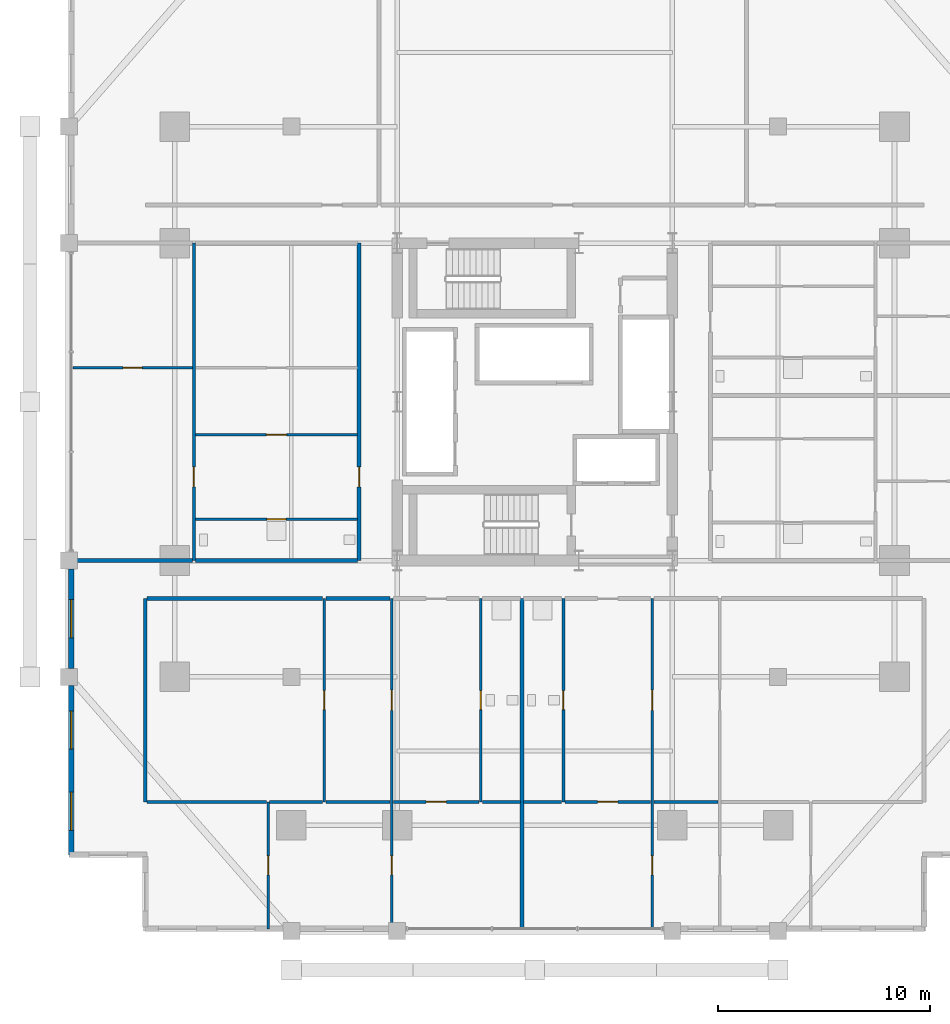
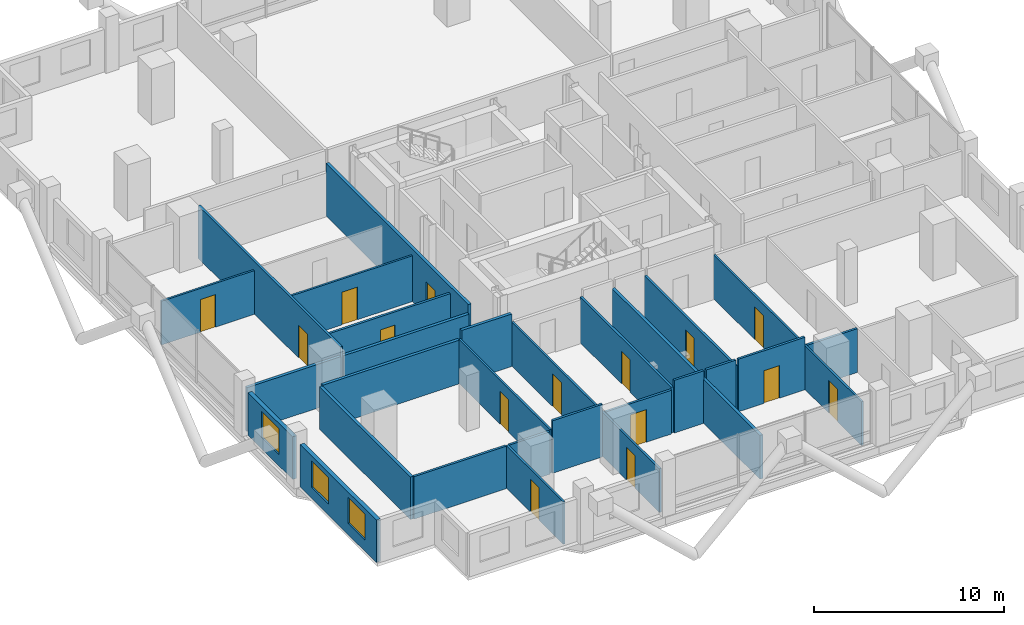
# One storey, part 17 of 23: 27 walls, 15 doors, 3 windows, 18 openings.
"""IFC4 building model written with IfcOpenShell, lengths in metres."""

from ifc_helpers import new_model, si_unit, direction, frame, frame_2d, origin, place, context, subcontext, project, spatial, rectangle, extrude, material, layer, layer_set, type_object, element, fill, save


model = new_model("IFC4")

# Units and contexts
model_context = context("Model", 3, precision=1e-05, world=origin(), true_north=direction((0.0, 1.0)))
body_context = subcontext(model_context, "Body", "Model", "MODEL_VIEW")
ifc_project = project(units=[si_unit("LENGTHUNIT", "METRE"), si_unit("AREAUNIT", "SQUARE_METRE"), si_unit("VOLUMEUNIT", "CUBIC_METRE"), si_unit("PLANEANGLEUNIT", "RADIAN"), si_unit("MASSUNIT", "GRAM", prefix="KILO")], contexts=[model_context])

# Site, building, storey
site_placement = place(None, origin())
site = spatial("IfcSite", under=ifc_project, at=site_placement, CompositionType="ELEMENT")
building_placement = place(site_placement, origin())
building = spatial("IfcBuilding", under=site, at=building_placement, Name="Barlavira Tower and Art Museum", CompositionType="ELEMENT")
storey_placement = place(building_placement, frame((0.0, 0.0, 68.39990234375)))
storey = spatial("IfcBuildingStorey", under=building, at=storey_placement, Name="L16", CompositionType="ELEMENT", Elevation=68.39990234375)

# Wall, opening, door
ifc_material_1 = material(Name="Gypsum acoustic stud partition", Category="gypsum")
ifc_layer_1 = layer(ifc_material_1, 0.1201171875, Name="Gypsum acoustic stud partition")
ifc_layer_set_1 = layer_set([ifc_layer_1], Name="Gypsum acoustic stud partition")
wall_type_1 = type_object("IfcWallType", Name="Apartment Internal Acoustic Partition 120", PredefinedType="PARTITIONING", material=ifc_layer_set_1)
wall_1_placement = place(storey_placement, frame((-12.60009765625, -24.89990234375, 0.0), z_axis=(0.0, 0.0, 1.0), x_axis=(0.0, 1.0, 0.0)))
wall_1 = element("IfcWall", 1, at=wall_1_placement, inside=storey, type_object=wall_type_1, Name="L16 Partition Wall 3", PredefinedType="PARTITIONING", context=body_context, shape_type="SweptSolid", body=[
    extrude(rectangle(XDim=6.0, YDim=0.1201171875, at=frame_2d((3.0, 0.0))), origin(), (0.0, 0.0, 1.0), 2.736083984375),
])
opening_1_placement = place(wall_1_placement, frame((2.550048828125, 0.0, 0.0)))
opening_1 = element("IfcOpeningElement", 2, at=opening_1_placement, cuts=wall_1, Name="Opening D-01", PredefinedType="OPENING", context=body_context, shape_type="SweptSolid", body=[
    extrude(rectangle(XDim=0.89990234375, YDim=2.10009765625, at=frame_2d((0.449951171875, 1.050048828125))), frame((0.0, 0.070068359375, 0.0), z_axis=(0.0, -1.0, 0.0), x_axis=(1.0, 0.0, 0.0)), (0.0, 0.0, 1.0), 0.14013671875),
])
ifc_material_2 = material(Name="Engineered coastal hardwood", Category="wood")
door_type_1 = type_object("IfcDoorType", Name="Internal Bedroom Timber Flush Door 900x2100", OperationType="NOTDEFINED", PredefinedType="DOOR", material=ifc_material_2)
door_1_placement = place(opening_1_placement, origin())
door_1 = element("IfcDoor", 3, at=door_1_placement, inside=storey, type_object=door_type_1, Name="Apartment S1 Bedroom 2 Door", OperationType="SINGLE_SWING_LEFT", OverallHeight=2.10009765625, OverallWidth=0.89990234375, PredefinedType="DOOR", context=body_context, shape_type="SweptSolid", body=[
    extrude(rectangle(XDim=0.89990234375, YDim=2.10009765625, at=frame_2d((0.449951171875, 1.050048828125))), frame((0.0, 0.02490234375, 0.0), z_axis=(0.0, -1.0, 0.0), x_axis=(1.0, 0.0, 0.0)), (0.0, 0.0, 1.0), 0.050048828125),
])
fill(opening_1, door_1)

wall_2_placement = place(storey_placement, frame((-9.949951171875, -18.89990234375, 0.0), z_axis=(0.0, 0.0, 1.0), x_axis=(0.0, 1.0, 0.0)))
wall_2 = element("IfcWall", 4, at=wall_2_placement, inside=storey, type_object=wall_type_1, Name="L16 Partition Wall 4", PredefinedType="PARTITIONING", context=body_context, shape_type="SweptSolid", body=[
    extrude(rectangle(XDim=9.599853515625, YDim=0.1201171875, at=frame_2d((4.7998046875, 0.0))), origin(), (0.0, 0.0, 1.0), 2.816162109375),
])
opening_2_placement = place(wall_2_placement, frame((4.35009765625, 0.0, 0.0)))
opening_2 = element("IfcOpeningElement", 5, at=opening_2_placement, cuts=wall_2, Name="Opening D-01", PredefinedType="OPENING", context=body_context, shape_type="SweptSolid", body=[
    extrude(rectangle(XDim=0.89990234375, YDim=2.10009765625, at=frame_2d((0.449951171875, 1.050048828125))), frame((0.0, 0.070068359375, 0.0), z_axis=(0.0, -1.0, 0.0), x_axis=(1.0, 0.0, 0.0)), (0.0, 0.0, 1.0), 0.14013671875),
])
door_2_placement = place(opening_2_placement, origin())
door_2 = element("IfcDoor", 6, at=door_2_placement, inside=storey, type_object=door_type_1, Name="Apartment S1 Walk-In Dressing Room Door", OperationType="SINGLE_SWING_RIGHT", OverallHeight=2.10009765625, OverallWidth=0.89990234375, PredefinedType="DOOR", context=body_context, shape_type="SweptSolid", body=[
    extrude(rectangle(XDim=0.89990234375, YDim=2.10009765625, at=frame_2d((0.449951171875, 1.050048828125))), frame((0.0, 0.02490234375, 0.0), z_axis=(0.0, -1.0, 0.0), x_axis=(1.0, 0.0, 0.0)), (0.0, 0.0, 1.0), 0.050048828125),
])
fill(opening_2, door_2)

# Wall, openings, doors
wall_3_placement = place(storey_placement, frame((-6.75, -24.89990234375, 0.0), z_axis=(0.0, 0.0, 1.0), x_axis=(0.0, 1.0, 0.0)))
wall_3 = element("IfcWall", 7, at=wall_3_placement, inside=storey, type_object=wall_type_1, Name="L16 Partition Wall 7", PredefinedType="PARTITIONING", context=body_context, shape_type="SweptSolid", body=[
    extrude(rectangle(XDim=15.599853515625, YDim=0.1201171875, at=frame_2d((7.7998046875, 0.0))), origin(), (0.0, 0.0, 1.0), 2.816162109375),
])
opening_3_placement = place(wall_3_placement, frame((10.324951171875, 0.0, 0.0)))
opening_3 = element("IfcOpeningElement", 8, at=opening_3_placement, cuts=wall_3, Name="Opening D-02", PredefinedType="OPENING", context=body_context, shape_type="SweptSolid", body=[
    extrude(rectangle(XDim=0.949951171875, YDim=2.10009765625, at=frame_2d((0.47509765625, 1.050048828125))), frame((0.0, 0.070068359375, 0.0), z_axis=(0.0, -1.0, 0.0), x_axis=(1.0, 0.0, 0.0)), (0.0, 0.0, 1.0), 0.14013671875),
])
opening_4_placement = place(wall_3_placement, frame((2.550048828125, 0.0, 0.0)))
opening_4 = element("IfcOpeningElement", 9, at=opening_4_placement, cuts=wall_3, Name="Opening D-01", PredefinedType="OPENING", context=body_context, shape_type="SweptSolid", body=[
    extrude(rectangle(XDim=0.89990234375, YDim=2.10009765625, at=frame_2d((0.449951171875, 1.050048828125))), frame((0.0, 0.070068359375, 0.0), z_axis=(0.0, -1.0, 0.0), x_axis=(1.0, 0.0, 0.0)), (0.0, 0.0, 1.0), 0.14013671875),
])
door_3_placement = place(opening_4_placement, origin())
door_3 = element("IfcDoor", 10, at=door_3_placement, inside=storey, type_object=door_type_1, Name="Apartment S1 Bedroom 1 Door", OperationType="SINGLE_SWING_RIGHT", OverallHeight=2.10009765625, OverallWidth=0.89990234375, PredefinedType="DOOR", context=body_context, shape_type="SweptSolid", body=[
    extrude(rectangle(XDim=0.89990234375, YDim=2.10009765625, at=frame_2d((0.449951171875, 1.050048828125))), frame((0.0, 0.02490234375, 0.0), z_axis=(0.0, -1.0, 0.0), x_axis=(1.0, 0.0, 0.0)), (0.0, 0.0, 1.0), 0.050048828125),
])
fill(opening_4, door_3)
door_type_2 = type_object("IfcDoorType", Name="Living and Salon Glazed-Leaf Door 950x2100", OperationType="NOTDEFINED", PredefinedType="DOOR", material=ifc_material_2)
door_4_placement = place(opening_3_placement, origin())
door_4 = element("IfcDoor", 11, at=door_4_placement, inside=storey, type_object=door_type_2, Name="Apartment S1 Kitchen Door", OperationType="SINGLE_SWING_LEFT", OverallHeight=2.10009765625, OverallWidth=0.949951171875, PredefinedType="DOOR", context=body_context, shape_type="SweptSolid", body=[
    extrude(rectangle(XDim=0.949951171875, YDim=2.10009765625, at=frame_2d((0.47509765625, 1.050048828125))), frame((0.0, 0.02490234375, 0.0), z_axis=(0.0, -1.0, 0.0), x_axis=(1.0, 0.0, 0.0)), (0.0, 0.0, 1.0), 0.050048828125),
])
fill(opening_3, door_4)

wall_4_placement = place(storey_placement, frame((5.550048828125, -24.89990234375, 0.0), z_axis=(0.0, 0.0, 1.0), x_axis=(0.0, 1.0, 0.0)))
wall_4 = element("IfcWall", 12, at=wall_4_placement, inside=storey, type_object=wall_type_1, Name="L16 Partition Wall 12", PredefinedType="PARTITIONING", context=body_context, shape_type="SweptSolid", body=[
    extrude(rectangle(XDim=15.599853515625, YDim=0.1201171875, at=frame_2d((7.7998046875, 0.0))), origin(), (0.0, 0.0, 1.0), 2.816162109375),
])
opening_5_placement = place(wall_4_placement, frame((10.324951171875, 0.0, 0.0)))
opening_5 = element("IfcOpeningElement", 13, at=opening_5_placement, cuts=wall_4, Name="Opening D-02", PredefinedType="OPENING", context=body_context, shape_type="SweptSolid", body=[
    extrude(rectangle(XDim=0.949951171875, YDim=2.10009765625, at=frame_2d((0.47509765625, 1.050048828125))), frame((0.0, 0.070068359375, 0.0), z_axis=(0.0, -1.0, 0.0), x_axis=(1.0, 0.0, 0.0)), (0.0, 0.0, 1.0), 0.14013671875),
])
opening_6_placement = place(wall_4_placement, frame((2.550048828125, 0.0, 0.0)))
opening_6 = element("IfcOpeningElement", 14, at=opening_6_placement, cuts=wall_4, Name="Opening D-01", PredefinedType="OPENING", context=body_context, shape_type="SweptSolid", body=[
    extrude(rectangle(XDim=0.89990234375, YDim=2.10009765625, at=frame_2d((0.449951171875, 1.050048828125))), frame((0.0, 0.070068359375, 0.0), z_axis=(0.0, -1.0, 0.0), x_axis=(1.0, 0.0, 0.0)), (0.0, 0.0, 1.0), 0.14013671875),
])
door_5_placement = place(opening_6_placement, origin())
door_5 = element("IfcDoor", 15, at=door_5_placement, inside=storey, type_object=door_type_1, Name="Apartment S2 Bedroom 1 Door", OperationType="SINGLE_SWING_LEFT", OverallHeight=2.10009765625, OverallWidth=0.89990234375, PredefinedType="DOOR", context=body_context, shape_type="SweptSolid", body=[
    extrude(rectangle(XDim=0.89990234375, YDim=2.10009765625, at=frame_2d((0.449951171875, 1.050048828125))), frame((0.0, 0.02490234375, 0.0), z_axis=(0.0, -1.0, 0.0), x_axis=(1.0, 0.0, 0.0)), (0.0, 0.0, 1.0), 0.050048828125),
])
fill(opening_6, door_5)
door_6_placement = place(opening_5_placement, origin())
door_6 = element("IfcDoor", 16, at=door_6_placement, inside=storey, type_object=door_type_2, Name="Apartment S2 Kitchen Door", OperationType="SINGLE_SWING_RIGHT", OverallHeight=2.10009765625, OverallWidth=0.949951171875, PredefinedType="DOOR", context=body_context, shape_type="SweptSolid", body=[
    extrude(rectangle(XDim=0.949951171875, YDim=2.10009765625, at=frame_2d((0.47509765625, 1.050048828125))), frame((0.0, 0.02490234375, 0.0), z_axis=(0.0, -1.0, 0.0), x_axis=(1.0, 0.0, 0.0)), (0.0, 0.0, 1.0), 0.050048828125),
])
fill(opening_5, door_6)

# Wall, opening, door
wall_5_placement = place(storey_placement, frame((-16.02001953125, -1.550048828125, 0.0), z_axis=(0.0, 0.0, 1.0), x_axis=(1.0, 0.0, 0.0)))
wall_5 = element("IfcWall", 17, at=wall_5_placement, inside=storey, type_object=wall_type_1, Name="L16 Partition Wall 45", PredefinedType="PARTITIONING", context=body_context, shape_type="SweptSolid", body=[
    extrude(rectangle(XDim=7.64013671875, YDim=0.1201171875, at=frame_2d((3.820068359375, 0.0))), origin(), (0.0, 0.0, 1.0), 2.947998046875),
])
opening_7_placement = place(wall_5_placement, frame((3.344970703125, 0.0, 0.0)))
opening_7 = element("IfcOpeningElement", 18, at=opening_7_placement, cuts=wall_5, Name="Opening D-02", PredefinedType="OPENING", context=body_context, shape_type="SweptSolid", body=[
    extrude(rectangle(XDim=0.949951171875, YDim=2.10009765625, at=frame_2d((0.47509765625, 1.050048828125))), frame((0.0, 0.070068359375, 0.0), z_axis=(0.0, -1.0, 0.0), x_axis=(1.0, 0.0, 0.0)), (0.0, 0.0, 1.0), 0.14013671875),
])
door_7_placement = place(opening_7_placement, origin())
door_7 = element("IfcDoor", 19, at=door_7_placement, inside=storey, type_object=door_type_2, Name="Apartment W1 Kitchen Door", OperationType="SINGLE_SWING_LEFT", OverallHeight=2.10009765625, OverallWidth=0.949951171875, PredefinedType="DOOR", context=body_context, shape_type="SweptSolid", body=[
    extrude(rectangle(XDim=0.949951171875, YDim=2.10009765625, at=frame_2d((0.47509765625, 1.050048828125))), frame((0.0, 0.02490234375, 0.0), z_axis=(0.0, -1.0, 0.0), x_axis=(1.0, 0.0, 0.0)), (0.0, 0.0, 1.0), 0.050048828125),
])
fill(opening_7, door_7)

wall_6_placement = place(storey_placement, frame((-21.820068359375, 1.60009765625, 0.0), z_axis=(0.0, 0.0, 1.0), x_axis=(1.0, 0.0, 0.0)))
wall_6 = element("IfcWall", 20, at=wall_6_placement, inside=storey, type_object=wall_type_1, Name="L16 Partition Wall 48", PredefinedType="PARTITIONING", context=body_context, shape_type="SweptSolid", body=[
    extrude(rectangle(XDim=5.64013671875, YDim=0.1201171875, at=frame_2d((2.820068359375, 0.0))), origin(), (0.0, 0.0, 1.0), 2.816162109375),
])
opening_8_placement = place(wall_6_placement, frame((2.3701171875, 0.0, 0.0)))
opening_8 = element("IfcOpeningElement", 21, at=opening_8_placement, cuts=wall_6, Name="Opening D-01", PredefinedType="OPENING", context=body_context, shape_type="SweptSolid", body=[
    extrude(rectangle(XDim=0.89990234375, YDim=2.10009765625, at=frame_2d((0.449951171875, 1.050048828125))), frame((0.0, 0.070068359375, 0.0), z_axis=(0.0, -1.0, 0.0), x_axis=(1.0, 0.0, 0.0)), (0.0, 0.0, 1.0), 0.14013671875),
])
door_8_placement = place(opening_8_placement, origin())
door_8 = element("IfcDoor", 22, at=door_8_placement, inside=storey, type_object=door_type_1, Name="Apartment W1 Bedroom 1 Door", OperationType="SINGLE_SWING_RIGHT", OverallHeight=2.10009765625, OverallWidth=0.89990234375, PredefinedType="DOOR", context=body_context, shape_type="SweptSolid", body=[
    extrude(rectangle(XDim=0.89990234375, YDim=2.10009765625, at=frame_2d((0.449951171875, 1.050048828125))), frame((0.0, 0.02490234375, 0.0), z_axis=(0.0, -1.0, 0.0), x_axis=(1.0, 0.0, 0.0)), (0.0, 0.0, 1.0), 0.050048828125),
])
fill(opening_8, door_8)

# Wall
ifc_layer_2 = layer(ifc_material_1, 0.179931640625, Name="Gypsum acoustic stud partition")
ifc_layer_set_2 = layer_set([ifc_layer_2], Name="Gypsum acoustic stud partition")
wall_type_2 = type_object("IfcWallType", Name="Inter-Tenancy Party Partition Wall 180", PredefinedType="PARTITIONING", material=ifc_layer_set_2)
wall_7_placement = place(storey_placement, frame((-18.39990234375, -18.89990234375, 0.0), z_axis=(0.0, 0.0, 1.0), x_axis=(0.0, 1.0, 0.0)))
element("IfcWall", 23, at=wall_7_placement, inside=storey, type_object=wall_type_2, Name="L16 Partition Wall 1", PredefinedType="PARTITIONING", context=body_context, shape_type="SweptSolid", body=[
    extrude(rectangle(XDim=9.599853515625, YDim=0.179931640625, at=frame_2d((4.7998046875, 0.0))), origin(), (0.0, 0.0, 1.0), 2.736083984375),
])

# Wall, opening, door
wall_8_placement = place(storey_placement, frame((-8.300048828125, -7.5, 0.0), z_axis=(0.0, 0.0, 1.0), x_axis=(0.0, 1.0, 0.0)))
wall_8 = element("IfcWall", 24, at=wall_8_placement, inside=storey, type_object=wall_type_2, Name="L16 Partition Wall 5", PredefinedType="PARTITIONING", context=body_context, shape_type="SweptSolid", body=[
    extrude(rectangle(XDim=15.0, YDim=0.179931640625, at=frame_2d((7.5, 0.0))), origin(), (0.0, 0.0, 1.0), 3.380126953125),
])
opening_9_placement = place(wall_8_placement, frame((3.47509765625, 0.0, 0.0)))
opening_9 = element("IfcOpeningElement", 25, at=opening_9_placement, cuts=wall_8, Name="Opening FD-60", PredefinedType="OPENING", context=body_context, shape_type="SweptSolid", body=[
    extrude(rectangle(XDim=0.949951171875, YDim=2.14990234375, at=frame_2d((0.47509765625, 1.074951171875))), frame((0.0, 0.10009765625, 0.0), z_axis=(0.0, -1.0, 0.0), x_axis=(1.0, 0.0, 0.0)), (0.0, 0.0, 1.0), 0.199951171875),
])
ifc_material_3 = material(Name="Brushed stainless steel", Category="steel")
door_type_3 = type_object("IfcDoorType", Name="Apartment Entrance and Riser Fire Door 950x2150 FD60S", OperationType="NOTDEFINED", PredefinedType="DOOR", material=ifc_material_3)
door_9_placement = place(opening_9_placement, origin())
door_9 = element("IfcDoor", 26, at=door_9_placement, inside=storey, type_object=door_type_3, Name="Apartment Entrance Hall W1 Door", OperationType="SINGLE_SWING_RIGHT", OverallHeight=2.14990234375, OverallWidth=0.949951171875, PredefinedType="DOOR", context=body_context, shape_type="SweptSolid", body=[
    extrude(rectangle(XDim=0.949951171875, YDim=2.14990234375, at=frame_2d((0.47509765625, 1.074951171875))), frame((0.0, 0.02490234375, 0.0), z_axis=(0.0, -1.0, 0.0), x_axis=(1.0, 0.0, 0.0)), (0.0, 0.0, 1.0), 0.050048828125),
])
fill(opening_9, door_9)

# Walls
wall_9_placement = place(storey_placement, frame((-0.60009765625, -24.89990234375, 0.0), z_axis=(0.0, 0.0, 1.0), x_axis=(0.0, 1.0, 0.0)))
element("IfcWall", 27, at=wall_9_placement, inside=storey, type_object=wall_type_2, Name="L16 Partition Wall 9", PredefinedType="PARTITIONING", context=body_context, shape_type="SweptSolid", body=[
    extrude(rectangle(XDim=15.599853515625, YDim=0.179931640625, at=frame_2d((7.7998046875, 0.0))), origin(), (0.0, 0.0, 1.0), 2.816162109375),
])
wall_10_placement = place(storey_placement, frame((-18.320068359375, -9.300048828125, 0.0), z_axis=(0.0, 0.0, 1.0), x_axis=(1.0, 0.0, 0.0)))
element("IfcWall", 28, at=wall_10_placement, inside=storey, type_object=wall_type_2, Name="L16 Partition Wall 29", PredefinedType="PARTITIONING", context=body_context, shape_type="SweptSolid", body=[
    extrude(rectangle(XDim=8.2900390625, YDim=0.179931640625, at=frame_2d((4.14501953125, 0.0))), origin(), (0.0, 0.0, 1.0), 2.816162109375),
])
wall_11_placement = place(storey_placement, frame((-9.8701171875, -9.300048828125, 0.0), z_axis=(0.0, 0.0, 1.0), x_axis=(1.0, 0.0, 0.0)))
element("IfcWall", 29, at=wall_11_placement, inside=storey, type_object=wall_type_2, Name="L16 Partition Wall 30", PredefinedType="PARTITIONING", context=body_context, shape_type="SweptSolid", body=[
    extrude(rectangle(XDim=3.0400390625, YDim=0.179931640625, at=frame_2d((1.52001953125, 0.0))), origin(), (0.0, 0.0, 1.0), 3.380126953125),
])
wall_12_placement = place(storey_placement, frame((-21.89990234375, -7.5, 0.0), z_axis=(0.0, 0.0, 1.0), x_axis=(1.0, 0.0, 0.0)))
element("IfcWall", 30, at=wall_12_placement, inside=storey, type_object=wall_type_2, Name="L16 Partition Wall 37", PredefinedType="PARTITIONING", context=body_context, shape_type="SweptSolid", body=[
    extrude(rectangle(XDim=5.719970703125, YDim=0.179931640625, at=frame_2d((2.85986328125, 0.0))), origin(), (0.0, 0.0, 1.0), 2.816162109375),
])
wall_13_placement = place(storey_placement, frame((-16.02001953125, -7.5, 0.0), z_axis=(0.0, 0.0, 1.0), x_axis=(1.0, 0.0, 0.0)))
element("IfcWall", 31, at=wall_13_placement, inside=storey, type_object=wall_type_2, Name="L16 Partition Wall 38", PredefinedType="PARTITIONING", context=body_context, shape_type="SweptSolid", body=[
    extrude(rectangle(XDim=7.64013671875, YDim=0.179931640625, at=frame_2d((3.820068359375, 0.0))), origin(), (0.0, 0.0, 1.0), 2.816162109375),
])

# Wall, opening, door
ifc_layer_3 = layer(ifc_material_1, 0.139892578125, Name="Gypsum acoustic stud partition")
ifc_layer_set_3 = layer_set([ifc_layer_3], Name="Gypsum acoustic stud partition")
wall_type_3 = type_object("IfcWallType", Name="Moisture-Resistant Bathroom Partition 140", PredefinedType="PARTITIONING", material=ifc_layer_set_3)
wall_14_placement = place(storey_placement, frame((-16.10009765625, -7.5, 0.0), z_axis=(0.0, 0.0, 1.0), x_axis=(0.0, 1.0, 0.0)))
wall_14 = element("IfcWall", 32, at=wall_14_placement, inside=storey, type_object=wall_type_3, Name="L16 Partition Wall 2", PredefinedType="PARTITIONING", context=body_context, shape_type="SweptSolid", body=[
    extrude(rectangle(XDim=15.0, YDim=0.139892578125, at=frame_2d((7.5, 0.0))), origin(), (0.0, 0.0, 1.0), 3.380126953125),
])
opening_10_placement = place(wall_14_placement, frame((3.47509765625, 0.0, 0.0)))
opening_10 = element("IfcOpeningElement", 33, at=opening_10_placement, cuts=wall_14, Name="Opening D-02", PredefinedType="OPENING", context=body_context, shape_type="SweptSolid", body=[
    extrude(rectangle(XDim=0.949951171875, YDim=2.10009765625, at=frame_2d((0.47509765625, 1.050048828125))), frame((0.0, 0.080078125, 0.0), z_axis=(0.0, -1.0, 0.0), x_axis=(1.0, 0.0, 0.0)), (0.0, 0.0, 1.0), 0.159912109375),
])
door_10_placement = place(opening_10_placement, origin())
door_10 = element("IfcDoor", 34, at=door_10_placement, inside=storey, type_object=door_type_2, Name="Apartment W1 Living Lounge Door", OperationType="SINGLE_SWING_LEFT", OverallHeight=2.10009765625, OverallWidth=0.949951171875, PredefinedType="DOOR", context=body_context, shape_type="SweptSolid", body=[
    extrude(rectangle(XDim=0.949951171875, YDim=2.10009765625, at=frame_2d((0.47509765625, 1.050048828125))), frame((0.0, 0.02490234375, 0.0), z_axis=(0.0, -1.0, 0.0), x_axis=(1.0, 0.0, 0.0)), (0.0, 0.0, 1.0), 0.050048828125),
])
fill(opening_10, door_10)

wall_15_placement = place(storey_placement, frame((-2.550048828125, -18.89990234375, 0.0), z_axis=(0.0, 0.0, 1.0), x_axis=(0.0, 1.0, 0.0)))
wall_15 = element("IfcWall", 35, at=wall_15_placement, inside=storey, type_object=wall_type_3, Name="L16 Partition Wall 8", PredefinedType="PARTITIONING", context=body_context, shape_type="SweptSolid", body=[
    extrude(rectangle(XDim=9.599853515625, YDim=0.139892578125, at=frame_2d((4.7998046875, 0.0))), origin(), (0.0, 0.0, 1.0), 2.947998046875),
])
opening_11_placement = place(wall_15_placement, frame((4.35009765625, 0.0, 0.0)))
opening_11 = element("IfcOpeningElement", 36, at=opening_11_placement, cuts=wall_15, Name="Opening D-WC", PredefinedType="OPENING", context=body_context, shape_type="SweptSolid", body=[
    extrude(rectangle(XDim=0.89990234375, YDim=2.10009765625, at=frame_2d((0.449951171875, 1.050048828125))), frame((0.0, 0.080078125, 0.0), z_axis=(0.0, -1.0, 0.0), x_axis=(1.0, 0.0, 0.0)), (0.0, 0.0, 1.0), 0.159912109375),
])
door_type_4 = type_object("IfcDoorType", Name="Accessible Bathroom Flush Door 900x2100", OperationType="NOTDEFINED", PredefinedType="DOOR", material=ifc_material_2)
door_11_placement = place(opening_11_placement, origin())
door_11 = element("IfcDoor", 37, at=door_11_placement, inside=storey, type_object=door_type_4, Name="Apartment S1 Hall Bathroom Door", OperationType="SINGLE_SWING_LEFT", OverallHeight=2.10009765625, OverallWidth=0.89990234375, PredefinedType="DOOR", context=body_context, shape_type="SweptSolid", body=[
    extrude(rectangle(XDim=0.89990234375, YDim=2.10009765625, at=frame_2d((0.449951171875, 1.050048828125))), frame((0.0, 0.02490234375, 0.0), z_axis=(0.0, -1.0, 0.0), x_axis=(1.0, 0.0, 0.0)), (0.0, 0.0, 1.0), 0.050048828125),
])
fill(opening_11, door_11)

wall_16_placement = place(storey_placement, frame((1.35009765625, -18.89990234375, 0.0), z_axis=(0.0, 0.0, 1.0), x_axis=(0.0, 1.0, 0.0)))
wall_16 = element("IfcWall", 38, at=wall_16_placement, inside=storey, type_object=wall_type_3, Name="L16 Partition Wall 10", PredefinedType="PARTITIONING", context=body_context, shape_type="SweptSolid", body=[
    extrude(rectangle(XDim=9.599853515625, YDim=0.139892578125, at=frame_2d((4.7998046875, 0.0))), origin(), (0.0, 0.0, 1.0), 2.947998046875),
])
opening_12_placement = place(wall_16_placement, frame((4.35009765625, 0.0, 0.0)))
opening_12 = element("IfcOpeningElement", 39, at=opening_12_placement, cuts=wall_16, Name="Opening D-WC", PredefinedType="OPENING", context=body_context, shape_type="SweptSolid", body=[
    extrude(rectangle(XDim=0.89990234375, YDim=2.10009765625, at=frame_2d((0.449951171875, 1.050048828125))), frame((0.0, 0.080078125, 0.0), z_axis=(0.0, -1.0, 0.0), x_axis=(1.0, 0.0, 0.0)), (0.0, 0.0, 1.0), 0.159912109375),
])
door_12_placement = place(opening_12_placement, origin())
door_12 = element("IfcDoor", 40, at=door_12_placement, inside=storey, type_object=door_type_4, Name="Apartment S2 Hall Bathroom Door", OperationType="SINGLE_SWING_RIGHT", OverallHeight=2.10009765625, OverallWidth=0.89990234375, PredefinedType="DOOR", context=body_context, shape_type="SweptSolid", body=[
    extrude(rectangle(XDim=0.89990234375, YDim=2.10009765625, at=frame_2d((0.449951171875, 1.050048828125))), frame((0.0, 0.02490234375, 0.0), z_axis=(0.0, -1.0, 0.0), x_axis=(1.0, 0.0, 0.0)), (0.0, 0.0, 1.0), 0.050048828125),
])
fill(opening_12, door_12)

# Walls
wall_17_placement = place(storey_placement, frame((-18.320068359375, -18.89990234375, 0.0), z_axis=(0.0, 0.0, 1.0), x_axis=(1.0, 0.0, 0.0)))
element("IfcWall", 41, at=wall_17_placement, inside=storey, type_object=wall_type_3, Name="L16 Partition Wall 19", PredefinedType="PARTITIONING", context=body_context, shape_type="SweptSolid", body=[
    extrude(rectangle(XDim=5.64013671875, YDim=0.139892578125, at=frame_2d((2.820068359375, 0.0))), origin(), (0.0, 0.0, 1.0), 2.736083984375),
])
wall_18_placement = place(storey_placement, frame((-12.52001953125, -18.89990234375, 0.0), z_axis=(0.0, 0.0, 1.0), x_axis=(1.0, 0.0, 0.0)))
element("IfcWall", 42, at=wall_18_placement, inside=storey, type_object=wall_type_3, Name="L16 Partition Wall 20", PredefinedType="PARTITIONING", context=body_context, shape_type="SweptSolid", body=[
    extrude(rectangle(XDim=2.489990234375, YDim=0.139892578125, at=frame_2d((1.2451171875, 0.0))), origin(), (0.0, 0.0, 1.0), 2.736083984375),
])
wall_19_placement = place(storey_placement, frame((-9.8701171875, -18.89990234375, 0.0), z_axis=(0.0, 0.0, 1.0), x_axis=(1.0, 0.0, 0.0)))
element("IfcWall", 43, at=wall_19_placement, inside=storey, type_object=wall_type_3, Name="L16 Partition Wall 21", PredefinedType="PARTITIONING", context=body_context, shape_type="SweptSolid", body=[
    extrude(rectangle(XDim=3.0400390625, YDim=0.139892578125, at=frame_2d((1.52001953125, 0.0))), origin(), (0.0, 0.0, 1.0), 3.380126953125),
])

# Wall, opening, door
wall_20_placement = place(storey_placement, frame((-6.669921875, -18.89990234375, 0.0), z_axis=(0.0, 0.0, 1.0), x_axis=(1.0, 0.0, 0.0)))
wall_20 = element("IfcWall", 44, at=wall_20_placement, inside=storey, type_object=wall_type_3, Name="L16 Partition Wall 22", PredefinedType="PARTITIONING", context=body_context, shape_type="SweptSolid", body=[
    extrude(rectangle(XDim=4.0400390625, YDim=0.139892578125, at=frame_2d((2.02001953125, 0.0))), origin(), (0.0, 0.0, 1.0), 2.816162109375),
])
opening_13_placement = place(wall_20_placement, frame((1.544921875, 0.0, 0.0)))
opening_13 = element("IfcOpeningElement", 45, at=opening_13_placement, cuts=wall_20, Name="Opening D-02", PredefinedType="OPENING", context=body_context, shape_type="SweptSolid", body=[
    extrude(rectangle(XDim=0.949951171875, YDim=2.10009765625, at=frame_2d((0.47509765625, 1.050048828125))), frame((0.0, 0.080078125, 0.0), z_axis=(0.0, -1.0, 0.0), x_axis=(1.0, 0.0, 0.0)), (0.0, 0.0, 1.0), 0.159912109375),
])
door_13_placement = place(opening_13_placement, origin())
door_13 = element("IfcDoor", 46, at=door_13_placement, inside=storey, type_object=door_type_2, Name="Apartment S1 Living Lounge Door", OperationType="SINGLE_SWING_LEFT", OverallHeight=2.10009765625, OverallWidth=0.949951171875, PredefinedType="DOOR", context=body_context, shape_type="SweptSolid", body=[
    extrude(rectangle(XDim=0.949951171875, YDim=2.10009765625, at=frame_2d((0.47509765625, 1.050048828125))), frame((0.0, 0.02490234375, 0.0), z_axis=(0.0, -1.0, 0.0), x_axis=(1.0, 0.0, 0.0)), (0.0, 0.0, 1.0), 0.050048828125),
])
fill(opening_13, door_13)

# Walls
for number, where, z_axis, x_axis, name in (
    (47, (-2.469970703125, -18.89990234375, 0.0), (0.0, 0.0, 1.0), (1.0, 0.0, 0.0), "L16 Partition Wall 23"),
    (48, (-0.52001953125, -18.89990234375, 0.0), (0.0, 0.0, 1.0), (1.0, 0.0, 0.0), "L16 Partition Wall 24"),
):
    element("IfcWall", number, at=place(storey_placement, frame(where, z_axis=z_axis, x_axis=x_axis)), inside=storey, type_object=wall_type_3, Name=name, PredefinedType="PARTITIONING", context=body_context, shape_type="SweptSolid", body=[
        extrude(rectangle(XDim=1.7900390625, YDim=0.139892578125, at=frame_2d((0.89501953125, 0.0))), origin(), (0.0, 0.0, 1.0), 3.380126953125),
    ])

# Wall, opening, door
wall_21_placement = place(storey_placement, frame((1.429931640625, -18.89990234375, 0.0), z_axis=(0.0, 0.0, 1.0), x_axis=(1.0, 0.0, 0.0)))
wall_21 = element("IfcWall", 49, at=wall_21_placement, inside=storey, type_object=wall_type_3, Name="L16 Partition Wall 25", PredefinedType="PARTITIONING", context=body_context, shape_type="SweptSolid", body=[
    extrude(rectangle(XDim=4.0400390625, YDim=0.139892578125, at=frame_2d((2.02001953125, 0.0))), origin(), (0.0, 0.0, 1.0), 3.380126953125),
])
opening_14_placement = place(wall_21_placement, frame((1.544921875, 0.0, 0.0)))
opening_14 = element("IfcOpeningElement", 50, at=opening_14_placement, cuts=wall_21, Name="Opening D-02", PredefinedType="OPENING", context=body_context, shape_type="SweptSolid", body=[
    extrude(rectangle(XDim=0.949951171875, YDim=2.10009765625, at=frame_2d((0.47509765625, 1.050048828125))), frame((0.0, 0.080078125, 0.0), z_axis=(0.0, -1.0, 0.0), x_axis=(1.0, 0.0, 0.0)), (0.0, 0.0, 1.0), 0.159912109375),
])
door_14_placement = place(opening_14_placement, origin())
door_14 = element("IfcDoor", 51, at=door_14_placement, inside=storey, type_object=door_type_2, Name="Apartment S2 Living Lounge Door", OperationType="SINGLE_SWING_RIGHT", OverallHeight=2.10009765625, OverallWidth=0.949951171875, PredefinedType="DOOR", context=body_context, shape_type="SweptSolid", body=[
    extrude(rectangle(XDim=0.949951171875, YDim=2.10009765625, at=frame_2d((0.47509765625, 1.050048828125))), frame((0.0, 0.02490234375, 0.0), z_axis=(0.0, -1.0, 0.0), x_axis=(1.0, 0.0, 0.0)), (0.0, 0.0, 1.0), 0.050048828125),
])
fill(opening_14, door_14)

# Wall
wall_22_placement = place(storey_placement, frame((5.6298828125, -18.89990234375, 0.0), z_axis=(0.0, 0.0, 1.0), x_axis=(1.0, 0.0, 0.0)))
element("IfcWall", 52, at=wall_22_placement, inside=storey, type_object=wall_type_3, Name="L16 Partition Wall 26", PredefinedType="PARTITIONING", context=body_context, shape_type="SweptSolid", body=[
    extrude(rectangle(XDim=3.0400390625, YDim=0.139892578125, at=frame_2d((1.52001953125, 0.0))), origin(), (0.0, 0.0, 1.0), 2.816162109375),
])

# Wall, opening, door
wall_23_placement = place(storey_placement, frame((-16.02001953125, -5.550048828125, 0.0), z_axis=(0.0, 0.0, 1.0), x_axis=(1.0, 0.0, 0.0)))
wall_23 = element("IfcWall", 53, at=wall_23_placement, inside=storey, type_object=wall_type_3, Name="L16 Partition Wall 42", PredefinedType="PARTITIONING", context=body_context, shape_type="SweptSolid", body=[
    extrude(rectangle(XDim=7.64013671875, YDim=0.139892578125, at=frame_2d((3.820068359375, 0.0))), origin(), (0.0, 0.0, 1.0), 2.947998046875),
])
opening_15_placement = place(wall_23_placement, frame((3.3701171875, 0.0, 0.0)))
opening_15 = element("IfcOpeningElement", 54, at=opening_15_placement, cuts=wall_23, Name="Opening D-WC", PredefinedType="OPENING", context=body_context, shape_type="SweptSolid", body=[
    extrude(rectangle(XDim=0.89990234375, YDim=2.10009765625, at=frame_2d((0.449951171875, 1.050048828125))), frame((0.0, 0.080078125, 0.0), z_axis=(0.0, -1.0, 0.0), x_axis=(1.0, 0.0, 0.0)), (0.0, 0.0, 1.0), 0.159912109375),
])
door_15_placement = place(opening_15_placement, origin())
door_15 = element("IfcDoor", 55, at=door_15_placement, inside=storey, type_object=door_type_4, Name="Apartment W1 Hall Bathroom Door", OperationType="SINGLE_SWING_LEFT", OverallHeight=2.10009765625, OverallWidth=0.89990234375, PredefinedType="DOOR", context=body_context, shape_type="SweptSolid", body=[
    extrude(rectangle(XDim=0.89990234375, YDim=2.10009765625, at=frame_2d((0.449951171875, 1.050048828125))), frame((0.0, 0.02490234375, 0.0), z_axis=(0.0, -1.0, 0.0), x_axis=(1.0, 0.0, 0.0)), (0.0, 0.0, 1.0), 0.050048828125),
])
fill(opening_15, door_15)

# Wall, opening, window
ifc_material_4 = material(Name="Precast concrete C40", Category="concrete")
ifc_layer_4 = layer(ifc_material_4, 0.25, Name="Precast concrete C40")
ifc_layer_set_4 = layer_set([ifc_layer_4], Name="Precast concrete C40")
wall_type_4 = type_object("IfcWallType", Name="Notched Corner Spandrel Wall 250 Precast Concrete C40", PredefinedType="SOLIDWALL", material=ifc_layer_set_4)
wall_24_placement = place(storey_placement, frame((-21.89990234375, -7.89501953125, 0.0), z_axis=(0.0, 0.0, 1.0), x_axis=(0.0, -1.0, 0.0)))
wall_24 = element("IfcWall", 56, at=wall_24_placement, inside=storey, type_object=wall_type_4, Name="L16 Coastal Facade Pier Wall CW1-L16-W-4", PredefinedType="SOLIDWALL", context=body_context, shape_type="SweptSolid", body=[
    extrude(rectangle(XDim=4.7099609375, YDim=0.25, at=frame_2d((2.35498046875, 0.0))), origin(), (0.0, 0.0, 1.0), 2.736083984375),
])
opening_16_placement = place(wall_24_placement, frame((1.455078125, 0.0, 0.719970703125)))
opening_16 = element("IfcOpeningElement", 57, at=opening_16_placement, cuts=wall_24, Name="Opening WN-01", PredefinedType="OPENING", context=body_context, shape_type="SweptSolid", body=[
    extrude(rectangle(XDim=1.800048828125, YDim=1.679931640625, at=frame_2d((0.89990234375, 0.83984375))), frame((0.0, 0.135009765625, 0.0), z_axis=(0.0, -1.0, 0.0), x_axis=(1.0, 0.0, 0.0)), (0.0, 0.0, 1.0), 0.27001953125),
])
ifc_material_5 = material(Name="Low-iron coastal laminated glass", Category="glass")
window_type = type_object("IfcWindowType", Name="Recessed Notch Corner Punch Window 1800x1680", PartitioningType="SINGLE_PANEL", PredefinedType="WINDOW", material=ifc_material_5)
window_1_placement = place(opening_16_placement, origin())
window_1 = element("IfcWindow", 58, at=window_1_placement, inside=storey, type_object=window_type, Name="L16 Punched Facade Window EWP-CW1-L16-W-4-1", OverallHeight=1.679931640625, OverallWidth=1.800048828125, PartitioningType="SINGLE_PANEL", PredefinedType="WINDOW", context=body_context, shape_type="SweptSolid", body=[
    extrude(rectangle(XDim=1.800048828125, YDim=1.679931640625, at=frame_2d((0.89990234375, 0.83984375))), frame((0.0, 0.030029296875, 0.0), z_axis=(0.0, -1.0, 0.0), x_axis=(1.0, 0.0, 0.0)), (0.0, 0.0, 1.0), 0.06005859375),
])
fill(opening_16, window_1)

# Wall, openings, windows
wall_25_placement = place(storey_placement, frame((-21.89990234375, -13.39501953125, 0.0), z_axis=(0.0, 0.0, 1.0), x_axis=(0.0, -1.0, 0.0)))
wall_25 = element("IfcWall", 59, at=wall_25_placement, inside=storey, type_object=wall_type_4, Name="L16 Coastal Facade Pier Wall CW1-L16-W-5", PredefinedType="SOLIDWALL", context=body_context, shape_type="SweptSolid", body=[
    extrude(rectangle(XDim=8.030029296875, YDim=0.25, at=frame_2d((4.01513671875, 0.0))), origin(), (0.0, 0.0, 1.0), 2.736083984375),
])
opening_17_placement = place(wall_25_placement, frame((1.220947265625, 0.0, 0.719970703125)))
opening_17 = element("IfcOpeningElement", 60, at=opening_17_placement, cuts=wall_25, Name="Opening WN-01", PredefinedType="OPENING", context=body_context, shape_type="SweptSolid", body=[
    extrude(rectangle(XDim=1.800048828125, YDim=1.679931640625, at=frame_2d((0.89990234375, 0.83984375))), frame((0.0, 0.135009765625, 0.0), z_axis=(0.0, -1.0, 0.0), x_axis=(1.0, 0.0, 0.0)), (0.0, 0.0, 1.0), 0.27001953125),
])
opening_18_placement = place(wall_25_placement, frame((5.053955078125, 0.0, 0.719970703125)))
opening_18 = element("IfcOpeningElement", 61, at=opening_18_placement, cuts=wall_25, Name="Opening WN-01", PredefinedType="OPENING", context=body_context, shape_type="SweptSolid", body=[
    extrude(rectangle(XDim=1.800048828125, YDim=1.679931640625, at=frame_2d((0.89990234375, 0.83984375))), frame((0.0, 0.135009765625, 0.0), z_axis=(0.0, -1.0, 0.0), x_axis=(1.0, 0.0, 0.0)), (0.0, 0.0, 1.0), 0.27001953125),
])
window_2_placement = place(opening_17_placement, origin())
window_2 = element("IfcWindow", 62, at=window_2_placement, inside=storey, type_object=window_type, Name="L16 Punched Facade Window EWP-CW1-L16-W-5-1", OverallHeight=1.679931640625, OverallWidth=1.800048828125, PartitioningType="SINGLE_PANEL", PredefinedType="WINDOW", context=body_context, shape_type="SweptSolid", body=[
    extrude(rectangle(XDim=1.800048828125, YDim=1.679931640625, at=frame_2d((0.89990234375, 0.83984375))), frame((0.0, 0.030029296875, 0.0), z_axis=(0.0, -1.0, 0.0), x_axis=(1.0, 0.0, 0.0)), (0.0, 0.0, 1.0), 0.06005859375),
])
fill(opening_17, window_2)
window_3_placement = place(opening_18_placement, origin())
window_3 = element("IfcWindow", 63, at=window_3_placement, inside=storey, type_object=window_type, Name="L16 Punched Facade Window EWP-CW1-L16-W-5-2", OverallHeight=1.679931640625, OverallWidth=1.800048828125, PartitioningType="SINGLE_PANEL", PredefinedType="WINDOW", context=body_context, shape_type="SweptSolid", body=[
    extrude(rectangle(XDim=1.800048828125, YDim=1.679931640625, at=frame_2d((0.89990234375, 0.83984375))), frame((0.0, 0.030029296875, 0.0), z_axis=(0.0, -1.0, 0.0), x_axis=(1.0, 0.0, 0.0)), (0.0, 0.0, 1.0), 0.06005859375),
])
fill(opening_18, window_3)

save(model, "model.ifc")
